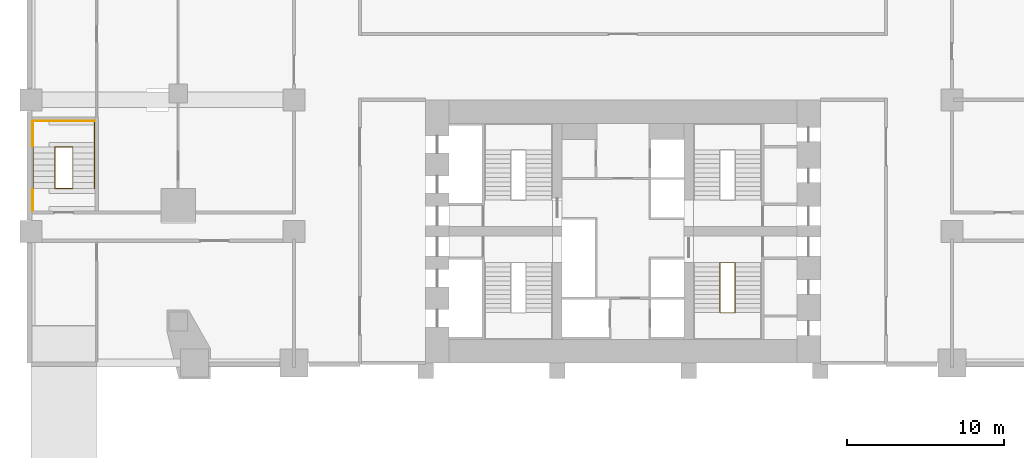
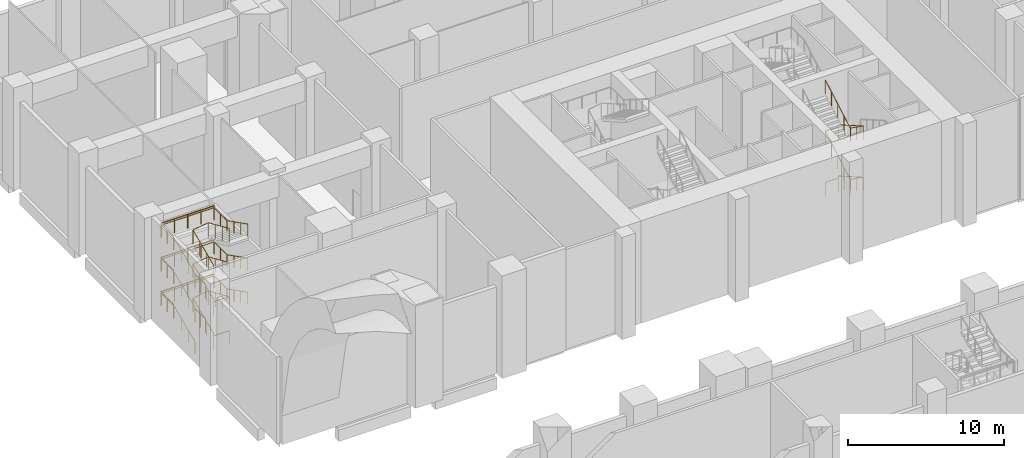
# One storey, part 15 of 19: 16 railings.
"""IFC4 building model written with IfcOpenShell, lengths in metres."""

import ifcopenshell
import ifcopenshell.guid

model = None  # the IFC model being written
_history = None  # IfcOwnerHistory: only IFC2X3 demands one
_inside = {}  # id of a spatial element -> (the spatial element, [elements in it])
_under = {}  # id of a project, library or spatial element -> (it, [spatial elements below it])
_declared = {}  # id of a project -> (the project, [libraries it declares])
_typed = {}  # id of a type object -> (the type object, [elements of that type])
_made_of = {}  # id of a material, layer set ... -> (it, [elements and type objects made of it])


def new_model(schema):
    """Start an empty IFC model of exactly this schema.

    Asked for "IFC4X3", IfcOpenShell would pick the latest addendum, in which some entities
    have other attributes; the version numbers below select the first issue.
    IFC2X3 requires an IfcOwnerHistory on every rooted entity: one is made here for all.
    """
    global model, _history
    if schema == "IFC4X3":
        model = ifcopenshell.file(schema_version=(4, 3, 0, 0))
    else:
        model = ifcopenshell.file(schema=schema)
    _inside.clear()
    _under.clear()
    _declared.clear()
    _typed.clear()
    _made_of.clear()
    _history = None
    if model.schema == "IFC2X3":
        org = make("IfcOrganization", Name="unknown")
        user = make(
            "IfcPersonAndOrganization",
            ThePerson=make("IfcPerson", FamilyName="unknown"),
            TheOrganization=org,
        )
        app = make(
            "IfcApplication",
            ApplicationDeveloper=org,
            Version="unknown",
            ApplicationFullName="unknown",
            ApplicationIdentifier="unknown",
        )
        _history = make(
            "IfcOwnerHistory",
            OwningUser=user,
            OwningApplication=app,
            ChangeAction="ADDED",
            CreationDate=0,
        )
    return model


def make(cls, **values):
    """One entity of the class cls with the attributes given. An attribute that is None is left unset."""
    return model.create_entity(
        cls, **{name: value for name, value in values.items() if value is not None}
    )


def rooted(cls, **values):
    """An entity with a GlobalId (a new one), such as an element, a storey or a relation."""
    return make(cls, GlobalId=ifcopenshell.guid.new(), OwnerHistory=_history, **values)


def si_unit(unit_type, name, prefix=None):
    """IfcSIUnit, for example si_unit("LENGTHUNIT", "METRE", prefix="MILLI")."""
    return make("IfcSIUnit", UnitType=unit_type, Prefix=prefix, Name=name)


def assignment(units):
    """IfcUnitAssignment: the units of a project."""
    return None if units is None else make("IfcUnitAssignment", Units=units)


def point(xyz):
    """IfcCartesianPoint."""
    return None if xyz is None else make("IfcCartesianPoint", Coordinates=xyz)


def direction(xyz):
    """IfcDirection."""
    return None if xyz is None else make("IfcDirection", DirectionRatios=xyz)


def frame(location, z_axis=None, x_axis=None):
    """IfcAxis2Placement3D, a coordinate frame: its origin and axes. An axis left out is left unset."""
    return make(
        "IfcAxis2Placement3D",
        Location=point(location),
        Axis=direction(z_axis),
        RefDirection=direction(x_axis),
    )


def frame_2d(location, x_axis=None):
    """IfcAxis2Placement2D, a coordinate frame in the plane: its origin and x axis."""
    return make(
        "IfcAxis2Placement2D", Location=point(location), RefDirection=direction(x_axis)
    )


def origin():
    """The frame at (0, 0, 0) with its axes left unset."""
    return frame((0.0, 0.0, 0.0))


def origin_2d():
    """The frame at (0, 0) in the plane with its x axis left unset."""
    return frame_2d((0.0, 0.0))


def place(relative_to, where):
    """IfcLocalPlacement: puts the frame where relative to a parent placement (None: the world)."""
    return make(
        "IfcLocalPlacement", PlacementRelTo=relative_to, RelativePlacement=where
    )


def context(
    kind, dimensions, precision=None, world=None, true_north=None, identifier=None
):
    """IfcGeometricRepresentationContext, for example the 3D "Model" context."""
    return make(
        "IfcGeometricRepresentationContext",
        ContextIdentifier=identifier,
        ContextType=kind,
        CoordinateSpaceDimension=dimensions,
        Precision=precision,
        WorldCoordinateSystem=world,
        TrueNorth=true_north,
    )


def subcontext(parent, identifier, kind, view, scale=None):
    """IfcGeometricRepresentationSubContext, for example "Body" below "Model"."""
    return make(
        "IfcGeometricRepresentationSubContext",
        ContextIdentifier=identifier,
        ContextType=kind,
        ParentContext=parent,
        TargetScale=scale,
        TargetView=view,
    )


def project(units=None, contexts=None):
    """IfcProject with its units and contexts."""
    return rooted(
        "IfcProject",
        Name="project",
        RepresentationContexts=contexts,
        UnitsInContext=assignment(units),
    )


def spatial(cls, under=None, at=None, **own):
    """A site, building, storey or space (cls), placed at a placement, below another one or the project."""
    s = rooted(cls, ObjectPlacement=at, **own)
    if under is not None:
        _under.setdefault(under.id(), (under, []))[1].append(s)
    return s


def profile(cls, at=None, kind="AREA", **sizes):
    """A parametric profile (cls). Its sizes go by their IFC names, for example OverallWidth=200.0."""
    return make(cls, ProfileType=kind, Position=at, **sizes)


def circle(**sizes):
    """IfcCircleProfileDef."""
    return profile("IfcCircleProfileDef", **sizes)


def extrude(swept, where, along, depth):
    """IfcExtrudedAreaSolid: the profile swept, set in the frame where, extruded along a direction by depth."""
    return make(
        "IfcExtrudedAreaSolid",
        SweptArea=swept,
        Position=where,
        ExtrudedDirection=direction(along),
        Depth=depth,
    )


def shape(context_of_items, identifier, shape_type, items):
    """IfcShapeRepresentation: the items that make up one representation, for example the "Body"."""
    return make(
        "IfcShapeRepresentation",
        ContextOfItems=context_of_items,
        RepresentationIdentifier=identifier,
        RepresentationType=shape_type,
        Items=items,
    )


def material(Name=None, Category=None):
    """IfcMaterial."""
    return make("IfcMaterial", Name=Name, Category=Category)


def made_of(thing, what):
    """Note that an element or type object is made of a material, layer set ...; save() writes the relation."""
    if what is not None:
        _made_of.setdefault(what.id(), (what, []))[1].append(thing)
    return thing


def type_object(cls, material=None, **own):
    """A type object (cls), such as IfcWallType, which elements share."""
    return made_of(rooted(cls, **own), material)


def element(
    cls,
    number,
    at=None,
    inside=None,
    cuts=None,
    type_object=None,
    material=None,
    context=None,
    identifier="Body",
    shape_type=None,
    held_by="IfcProductDefinitionShape",
    body=None,
    shapes=None,
    **own,
):
    """One element of the class cls, such as IfcWall. Its Tag is "e" and its number.

    at: its placement. inside: the storey or other place that contains it. cuts: it is an
    opening in that element (IfcRelVoidsElement). A single representation is given by context,
    identifier, shape_type and body (its items); several are given by shapes. held_by: the class
    of the entity that holds the representations. save() writes the other relations.
    """
    e = rooted(cls, Tag="e%d" % number, ObjectPlacement=at, **own)
    if body is not None:
        shapes = [shape(context, identifier, shape_type, body)]
    if shapes is not None:
        e.Representation = make(held_by, Representations=shapes)
    if inside is not None:
        _inside.setdefault(inside.id(), (inside, []))[1].append(e)
    if cuts is not None:
        rooted(
            "IfcRelVoidsElement", RelatingBuildingElement=cuts, RelatedOpeningElement=e
        )
    if type_object is not None:
        _typed.setdefault(type_object.id(), (type_object, []))[1].append(e)
    return made_of(e, material)


def aggregate(whole, parts):
    """IfcRelAggregates: a whole, such as a stair, and the parts it consists of."""
    return rooted("IfcRelAggregates", RelatingObject=whole, RelatedObjects=parts)


def save(model, path):
    """Write the relations noted so far, then the file.

    IfcRelAggregates (storeys below a building ...), IfcRelContainedInSpatialStructure (elements
    in a storey), IfcRelDefinesByType, IfcRelAssociatesMaterial and IfcRelDeclares: one each for
    every whole, place, type object, material and project.
    """
    for whole, parts in _under.values():
        aggregate(whole, parts)
    for where, things in _inside.values():
        rooted(
            "IfcRelContainedInSpatialStructure",
            RelatedElements=things,
            RelatingStructure=where,
        )
    for kind, things in _typed.values():
        rooted("IfcRelDefinesByType", RelatedObjects=things, RelatingType=kind)
    for what, things in _made_of.values():
        rooted("IfcRelAssociatesMaterial", RelatedObjects=things, RelatingMaterial=what)
    for by, libraries in _declared.values():
        rooted("IfcRelDeclares", RelatingContext=by, RelatedDefinitions=libraries)
    model.write(path)


model = new_model("IFC4")

# Units and contexts
model_context = context("Model", 3, precision=1e-05, world=origin(), true_north=direction((0.0, 1.0)))
body_context = subcontext(model_context, "Body", "Model", "MODEL_VIEW")
ifc_project = project(units=[si_unit("LENGTHUNIT", "METRE"), si_unit("AREAUNIT", "SQUARE_METRE"), si_unit("VOLUMEUNIT", "CUBIC_METRE"), si_unit("PLANEANGLEUNIT", "RADIAN"), si_unit("MASSUNIT", "GRAM", prefix="KILO")], contexts=[model_context])

# Site, building, storey
site_placement = place(None, origin())
site = spatial("IfcSite", under=ifc_project, at=site_placement, CompositionType="ELEMENT")
building_placement = place(site_placement, origin())
building = spatial("IfcBuilding", under=site, at=building_placement, Name="Marenta Gate Hotel Tower", CompositionType="ELEMENT")
storey_placement = place(building_placement, frame((0.0, 0.0, 13.0)))
storey = spatial("IfcBuildingStorey", under=building, at=storey_placement, Name="L02", CompositionType="ELEMENT", Elevation=13.0)

# Railings
ifc_material_1 = material(Name="Stainless steel", Category="steel")
railing_type_1 = type_object("IfcRailingType", Name="Core stair handrail 950", PredefinedType="HANDRAIL", material=ifc_material_1)
railing_1_placement = place(storey_placement, frame((-37.64990234375, 11.1298828125, 0.166748046875)))
element("IfcRailing", 1, at=railing_1_placement, inside=storey, type_object=railing_type_1, Name="HR-950 L02-KR-PX6-2", PredefinedType="HANDRAIL", context=body_context, shape_type="SweptSolid", body=[
    extrude(circle(Radius=0.02392578125, at=origin_2d()), frame((0.0, 0.0, 0.92578125), z_axis=(0.0, 0.915817496131, 0.401594713337), x_axis=(-1.0, 0.0, 0.0)), (0.0, 0.0, 1.0), 2.90478515625),
    extrude(circle(Radius=0.02392578125, at=origin_2d()), frame((0.0, 2.66015625, 2.09228515625), z_axis=(0.0, 1.0, 0.0), x_axis=(-1.0, 0.0, 0.0)), (0.0, 0.0, 1.0), 1.659912109375),
    extrude(circle(Radius=0.02392578125, at=origin_2d()), frame((0.0, 4.320068359375, 2.09228515625), z_axis=(1.0, 0.0, 0.0), x_axis=(0.0, 1.0, 0.0)), (0.0, 0.0, 1.0), 3.89990234375),
    extrude(circle(Radius=0.02392578125, at=origin_2d()), frame((3.89990234375, 4.320068359375, 2.09228515625), z_axis=(0.0, -1.0, 0.0), x_axis=(1.0, 0.0, 0.0)), (0.0, 0.0, 1.0), 1.659912109375),
    extrude(circle(Radius=0.02392578125, at=origin_2d()), frame((3.89990234375, 2.66015625, 2.09228515625), z_axis=(0.0, -0.893967264428, 0.448132268567), x_axis=(1.0, 0.0, 0.0)), (0.0, 0.0, 1.0), 2.9755859375),
    extrude(circle(Radius=0.02099609375, at=origin_2d()), origin(), (0.0, 0.0, 1.0), 0.90185546875),
    extrude(circle(Radius=0.02099609375, at=origin_2d()), frame((0.0, 0.88671875, 0.388916015625)), (0.0, 0.0, 1.0), 0.90185546875),
    extrude(circle(Radius=0.02099609375, at=origin_2d()), frame((0.0, 1.7734375, 0.777587890625)), (0.0, 0.0, 1.0), 0.90185546875),
    extrude(circle(Radius=0.02099609375, at=origin_2d()), frame((0.0, 2.66015625, 1.16650390625)), (0.0, 0.0, 1.0), 0.90185546875),
    extrude(circle(Radius=0.02099609375, at=origin_2d()), frame((0.0, 3.490234375, 1.16650390625)), (0.0, 0.0, 1.0), 0.90185546875),
    extrude(circle(Radius=0.02099609375, at=origin_2d()), frame((0.0, 4.320068359375, 1.16650390625)), (0.0, 0.0, 1.0), 0.90185546875),
    extrude(circle(Radius=0.02099609375, at=origin_2d()), frame((0.97509765625, 4.320068359375, 1.16650390625)), (0.0, 0.0, 1.0), 0.90185546875),
    extrude(circle(Radius=0.02099609375, at=origin_2d()), frame((1.949951171875, 4.320068359375, 1.16650390625)), (0.0, 0.0, 1.0), 0.90185546875),
    extrude(circle(Radius=0.02099609375, at=origin_2d()), frame((2.9248046875, 4.320068359375, 1.16650390625)), (0.0, 0.0, 1.0), 0.90185546875),
    extrude(circle(Radius=0.02099609375, at=origin_2d()), frame((3.89990234375, 4.320068359375, 1.16650390625)), (0.0, 0.0, 1.0), 0.90185546875),
    extrude(circle(Radius=0.02099609375, at=origin_2d()), frame((3.89990234375, 3.490234375, 1.16650390625)), (0.0, 0.0, 1.0), 0.90185546875),
    extrude(circle(Radius=0.02099609375, at=origin_2d()), frame((3.89990234375, 2.66015625, 1.16650390625)), (0.0, 0.0, 1.0), 0.90185546875),
    extrude(circle(Radius=0.02099609375, at=origin_2d()), frame((3.89990234375, 1.7734375, 1.611083984375)), (0.0, 0.0, 1.0), 0.90185546875),
    extrude(circle(Radius=0.02099609375, at=origin_2d()), frame((3.89990234375, 0.88671875, 2.055419921875)), (0.0, 0.0, 1.0), 0.90185546875),
    extrude(circle(Radius=0.02099609375, at=origin_2d()), frame((3.89990234375, 0.0, 2.5)), (0.0, 0.0, 1.0), 0.90185546875),
])
railing_2_placement = place(storey_placement, frame((-37.64990234375, 11.1298828125, 2.833251953125)))
element("IfcRailing", 2, at=railing_2_placement, inside=storey, type_object=railing_type_1, Name="HR-950 L02-KR-PX6-5", PredefinedType="HANDRAIL", context=body_context, shape_type="SweptSolid", body=[
    extrude(circle(Radius=0.02392578125, at=origin_2d()), frame((0.0, 0.0, 0.92578125), z_axis=(0.0, 0.915786581632, 0.401665204994), x_axis=(-1.0, 0.0, 0.0)), (0.0, 0.0, 1.0), 2.90478515625),
    extrude(circle(Radius=0.02392578125, at=origin_2d()), frame((0.0, 2.66015625, 2.0927734375), z_axis=(0.0, 1.0, 0.0), x_axis=(-1.0, 0.0, 0.0)), (0.0, 0.0, 1.0), 1.659912109375),
    extrude(circle(Radius=0.02392578125, at=origin_2d()), frame((0.0, 4.320068359375, 2.0927734375), z_axis=(1.0, 0.0, 0.0), x_axis=(0.0, 1.0, 0.0)), (0.0, 0.0, 1.0), 3.89990234375),
    extrude(circle(Radius=0.02392578125, at=origin_2d()), frame((3.89990234375, 4.320068359375, 2.0927734375), z_axis=(0.0, -1.0, 0.0), x_axis=(1.0, 0.0, 0.0)), (0.0, 0.0, 1.0), 1.659912109375),
    extrude(circle(Radius=0.02392578125, at=origin_2d()), frame((3.89990234375, 2.66015625, 2.0927734375), z_axis=(0.0, -0.894000131919, 0.448066696073), x_axis=(1.0, 0.0, 0.0)), (0.0, 0.0, 1.0), 2.9755859375),
    extrude(circle(Radius=0.02099609375, at=origin_2d()), origin(), (0.0, 0.0, 1.0), 0.90185546875),
    extrude(circle(Radius=0.02099609375, at=origin_2d()), frame((0.0, 0.88671875, 0.388916015625)), (0.0, 0.0, 1.0), 0.90185546875),
    extrude(circle(Radius=0.02099609375, at=origin_2d()), frame((0.0, 1.7734375, 0.77783203125)), (0.0, 0.0, 1.0), 0.90185546875),
    extrude(circle(Radius=0.02099609375, at=origin_2d()), frame((0.0, 2.66015625, 1.166748046875)), (0.0, 0.0, 1.0), 0.90185546875),
    extrude(circle(Radius=0.02099609375, at=origin_2d()), frame((0.0, 3.490234375, 1.166748046875)), (0.0, 0.0, 1.0), 0.90185546875),
    extrude(circle(Radius=0.02099609375, at=origin_2d()), frame((0.0, 4.320068359375, 1.166748046875)), (0.0, 0.0, 1.0), 0.90185546875),
    extrude(circle(Radius=0.02099609375, at=origin_2d()), frame((0.97509765625, 4.320068359375, 1.166748046875)), (0.0, 0.0, 1.0), 0.90185546875),
    extrude(circle(Radius=0.02099609375, at=origin_2d()), frame((1.949951171875, 4.320068359375, 1.166748046875)), (0.0, 0.0, 1.0), 0.90185546875),
    extrude(circle(Radius=0.02099609375, at=origin_2d()), frame((2.9248046875, 4.320068359375, 1.166748046875)), (0.0, 0.0, 1.0), 0.90185546875),
    extrude(circle(Radius=0.02099609375, at=origin_2d()), frame((3.89990234375, 4.320068359375, 1.166748046875)), (0.0, 0.0, 1.0), 0.90185546875),
    extrude(circle(Radius=0.02099609375, at=origin_2d()), frame((3.89990234375, 3.490234375, 1.166748046875)), (0.0, 0.0, 1.0), 0.90185546875),
    extrude(circle(Radius=0.02099609375, at=origin_2d()), frame((3.89990234375, 2.66015625, 1.166748046875)), (0.0, 0.0, 1.0), 0.90185546875),
    extrude(circle(Radius=0.02099609375, at=origin_2d()), frame((3.89990234375, 1.7734375, 1.611083984375)), (0.0, 0.0, 1.0), 0.90185546875),
    extrude(circle(Radius=0.02099609375, at=origin_2d()), frame((3.89990234375, 0.88671875, 2.0556640625)), (0.0, 0.0, 1.0), 0.90185546875),
    extrude(circle(Radius=0.02099609375, at=origin_2d()), frame((3.89990234375, 0.0, 2.5)), (0.0, 0.0, 1.0), 0.90185546875),
])
railing_3_placement = place(storey_placement, frame((-37.64990234375, 11.1298828125, 5.5)))
element("IfcRailing", 3, at=railing_3_placement, inside=storey, type_object=railing_type_1, Name="HR-950 L02-KR-PX6-8", PredefinedType="HANDRAIL", context=body_context, shape_type="SweptSolid", body=[
    extrude(circle(Radius=0.02392578125, at=origin_2d()), frame((0.0, 0.0, 0.92578125), z_axis=(0.0, 0.915786581632, 0.401665204994), x_axis=(-1.0, 0.0, 0.0)), (0.0, 0.0, 1.0), 2.90478515625),
    extrude(circle(Radius=0.02392578125, at=origin_2d()), frame((0.0, 2.66015625, 2.0927734375), z_axis=(0.0, 1.0, 0.0), x_axis=(-1.0, 0.0, 0.0)), (0.0, 0.0, 1.0), 1.659912109375),
    extrude(circle(Radius=0.02392578125, at=origin_2d()), frame((0.0, 4.320068359375, 2.0927734375), z_axis=(1.0, 0.0, 0.0), x_axis=(0.0, 1.0, 0.0)), (0.0, 0.0, 1.0), 3.89990234375),
    extrude(circle(Radius=0.02392578125, at=origin_2d()), frame((3.89990234375, 4.320068359375, 2.0927734375), z_axis=(0.0, -1.0, 0.0), x_axis=(1.0, 0.0, 0.0)), (0.0, 0.0, 1.0), 1.659912109375),
    extrude(circle(Radius=0.02392578125, at=origin_2d()), frame((3.89990234375, 2.66015625, 2.0927734375), z_axis=(0.0, -0.894000131919, 0.448066696073), x_axis=(1.0, 0.0, 0.0)), (0.0, 0.0, 1.0), 2.9755859375),
    extrude(circle(Radius=0.02099609375, at=origin_2d()), origin(), (0.0, 0.0, 1.0), 0.90185546875),
    extrude(circle(Radius=0.02099609375, at=origin_2d()), frame((0.0, 0.88671875, 0.388916015625)), (0.0, 0.0, 1.0), 0.90185546875),
    extrude(circle(Radius=0.02099609375, at=origin_2d()), frame((0.0, 1.7734375, 0.77783203125)), (0.0, 0.0, 1.0), 0.90185546875),
    extrude(circle(Radius=0.02099609375, at=origin_2d()), frame((0.0, 2.66015625, 1.166748046875)), (0.0, 0.0, 1.0), 0.90185546875),
    extrude(circle(Radius=0.02099609375, at=origin_2d()), frame((0.0, 3.490234375, 1.166748046875)), (0.0, 0.0, 1.0), 0.90185546875),
    extrude(circle(Radius=0.02099609375, at=origin_2d()), frame((0.0, 4.320068359375, 1.166748046875)), (0.0, 0.0, 1.0), 0.90185546875),
    extrude(circle(Radius=0.02099609375, at=origin_2d()), frame((0.97509765625, 4.320068359375, 1.166748046875)), (0.0, 0.0, 1.0), 0.90185546875),
    extrude(circle(Radius=0.02099609375, at=origin_2d()), frame((1.949951171875, 4.320068359375, 1.166748046875)), (0.0, 0.0, 1.0), 0.90185546875),
    extrude(circle(Radius=0.02099609375, at=origin_2d()), frame((2.9248046875, 4.320068359375, 1.166748046875)), (0.0, 0.0, 1.0), 0.90185546875),
    extrude(circle(Radius=0.02099609375, at=origin_2d()), frame((3.89990234375, 4.320068359375, 1.166748046875)), (0.0, 0.0, 1.0), 0.90185546875),
    extrude(circle(Radius=0.02099609375, at=origin_2d()), frame((3.89990234375, 3.490234375, 1.166748046875)), (0.0, 0.0, 1.0), 0.90185546875),
    extrude(circle(Radius=0.02099609375, at=origin_2d()), frame((3.89990234375, 2.66015625, 1.166748046875)), (0.0, 0.0, 1.0), 0.90185546875),
    extrude(circle(Radius=0.02099609375, at=origin_2d()), frame((3.89990234375, 1.7734375, 1.611083984375)), (0.0, 0.0, 1.0), 0.90185546875),
    extrude(circle(Radius=0.02099609375, at=origin_2d()), frame((3.89990234375, 0.88671875, 2.0556640625)), (0.0, 0.0, 1.0), 0.90185546875),
    extrude(circle(Radius=0.02099609375, at=origin_2d()), frame((3.89990234375, 0.0, 2.5)), (0.0, 0.0, 1.0), 0.90185546875),
])
ifc_material_2 = material(Name="Stainless steel", Category="steel")
railing_type_2 = type_object("IfcRailingType", Name="Core stair well guard 1100", PredefinedType="GUARDRAIL", material=ifc_material_2)
railing_4_placement = place(storey_placement, frame((6.199951171875, 6.39990234375, 0.0)))
element("IfcRailing", 4, at=railing_4_placement, inside=storey, type_object=railing_type_2, Name="GR-1100 L02-KR-ST3-2", PredefinedType="GUARDRAIL", context=body_context, shape_type="SweptSolid", body=[
    extrude(circle(Radius=0.02392578125, at=origin_2d()), frame((0.0, 0.0, 1.076171875), z_axis=(1.0, 0.0, 0.0), x_axis=(0.0, 1.0, 0.0)), (0.0, 0.0, 1.0), 0.949951171875),
    extrude(circle(Radius=0.02392578125, at=origin_2d()), frame((0.949951171875, 0.0, 1.076171875), z_axis=(0.0, 0.0, 1.0), x_axis=(1.0, 0.0, 0.0)), (0.0, 0.0, 1.0), 0.166748046875),
    extrude(circle(Radius=0.02392578125, at=origin_2d()), frame((0.949951171875, 0.0, 1.24267578125), z_axis=(0.0, -0.867019545617, 0.498274128887), x_axis=(1.0, 0.0, 0.0)), (0.0, 0.0, 1.0), 3.67919921875),
    extrude(circle(Radius=0.02392578125, at=origin_2d()), frame((0.949951171875, -3.18994140625, 3.076171875), z_axis=(-0.984941147704, 0.0, 0.172889952167), x_axis=(0.0, -1.0, 0.0)), (0.0, 0.0, 1.0), 0.96435546875),
    extrude(circle(Radius=0.02392578125, at=origin_2d()), frame((0.0, -3.18994140625, 3.24267578125), z_axis=(0.0, 0.867019545617, 0.498274128887), x_axis=(-1.0, 0.0, 0.0)), (0.0, 0.0, 1.0), 3.67919921875),
    extrude(circle(Radius=0.02099609375, at=origin_2d()), origin(), (0.0, 0.0, 1.0), 1.052001953125),
    extrude(circle(Radius=0.02099609375, at=origin_2d()), frame((0.949951171875, 0.0, 0.0)), (0.0, 0.0, 1.0), 1.052001953125),
    extrude(circle(Radius=0.02099609375, at=origin_2d()), frame((0.949951171875, 0.0, 0.166748046875)), (0.0, 0.0, 1.0), 1.052001953125),
    extrude(circle(Radius=0.02099609375, at=origin_2d()), frame((0.949951171875, -0.79736328125, 0.625)), (0.0, 0.0, 1.0), 1.052001953125),
    extrude(circle(Radius=0.02099609375, at=origin_2d()), frame((0.949951171875, -1.594970703125, 1.08349609375)), (0.0, 0.0, 1.0), 1.052001953125),
    extrude(circle(Radius=0.02099609375, at=origin_2d()), frame((0.949951171875, -2.392578125, 1.541748046875)), (0.0, 0.0, 1.0), 1.052001953125),
    extrude(circle(Radius=0.02099609375, at=origin_2d()), frame((0.949951171875, -3.18994140625, 2.0)), (0.0, 0.0, 1.0), 1.052001953125),
    extrude(circle(Radius=0.02099609375, at=origin_2d()), frame((0.0, -3.18994140625, 2.166748046875)), (0.0, 0.0, 1.0), 1.052001953125),
    extrude(circle(Radius=0.02099609375, at=origin_2d()), frame((0.0, -2.392578125, 2.625)), (0.0, 0.0, 1.0), 1.052001953125),
    extrude(circle(Radius=0.02099609375, at=origin_2d()), frame((0.0, -1.594970703125, 3.08349609375)), (0.0, 0.0, 1.0), 1.052001953125),
    extrude(circle(Radius=0.02099609375, at=origin_2d()), frame((0.0, -0.79736328125, 3.541748046875)), (0.0, 0.0, 1.0), 1.052001953125),
    extrude(circle(Radius=0.02099609375, at=origin_2d()), frame((0.0, 0.0, 4.0)), (0.0, 0.0, 1.0), 1.052001953125),
])
railing_5_placement = place(storey_placement, frame((6.199951171875, 6.39990234375, 4.0)))
element("IfcRailing", 5, at=railing_5_placement, inside=storey, type_object=railing_type_2, Name="GR-1100 L02-KR-ST3-4", PredefinedType="GUARDRAIL", context=body_context, shape_type="SweptSolid", body=[
    extrude(circle(Radius=0.02392578125, at=origin_2d()), frame((0.0, 0.0, 1.076171875), z_axis=(1.0, 0.0, 0.0), x_axis=(0.0, 1.0, 0.0)), (0.0, 0.0, 1.0), 0.949951171875),
    extrude(circle(Radius=0.02392578125, at=origin_2d()), frame((0.949951171875, 0.0, 1.076171875), z_axis=(0.0, 0.0, 1.0), x_axis=(1.0, 0.0, 0.0)), (0.0, 0.0, 1.0), 0.166748046875),
    extrude(circle(Radius=0.02392578125, at=origin_2d()), frame((0.949951171875, 0.0, 1.24267578125), z_axis=(0.0, -0.867019545617, 0.498274128887), x_axis=(1.0, 0.0, 0.0)), (0.0, 0.0, 1.0), 3.67919921875),
    extrude(circle(Radius=0.02392578125, at=origin_2d()), frame((0.949951171875, -3.18994140625, 3.076171875), z_axis=(-0.984941147704, 0.0, 0.172889952167), x_axis=(0.0, -1.0, 0.0)), (0.0, 0.0, 1.0), 0.96435546875),
    extrude(circle(Radius=0.02392578125, at=origin_2d()), frame((0.0, -3.18994140625, 3.24267578125), z_axis=(0.0, 0.867019545617, 0.498274128887), x_axis=(-1.0, 0.0, 0.0)), (0.0, 0.0, 1.0), 3.67919921875),
    extrude(circle(Radius=0.02099609375, at=origin_2d()), origin(), (0.0, 0.0, 1.0), 1.052001953125),
    extrude(circle(Radius=0.02099609375, at=origin_2d()), frame((0.949951171875, 0.0, 0.0)), (0.0, 0.0, 1.0), 1.052001953125),
    extrude(circle(Radius=0.02099609375, at=origin_2d()), frame((0.949951171875, 0.0, 0.166748046875)), (0.0, 0.0, 1.0), 1.052001953125),
    extrude(circle(Radius=0.02099609375, at=origin_2d()), frame((0.949951171875, -0.79736328125, 0.625)), (0.0, 0.0, 1.0), 1.052001953125),
    extrude(circle(Radius=0.02099609375, at=origin_2d()), frame((0.949951171875, -1.594970703125, 1.08349609375)), (0.0, 0.0, 1.0), 1.052001953125),
    extrude(circle(Radius=0.02099609375, at=origin_2d()), frame((0.949951171875, -2.392578125, 1.541748046875)), (0.0, 0.0, 1.0), 1.052001953125),
    extrude(circle(Radius=0.02099609375, at=origin_2d()), frame((0.949951171875, -3.18994140625, 2.0)), (0.0, 0.0, 1.0), 1.052001953125),
    extrude(circle(Radius=0.02099609375, at=origin_2d()), frame((0.0, -3.18994140625, 2.166748046875)), (0.0, 0.0, 1.0), 1.052001953125),
    extrude(circle(Radius=0.02099609375, at=origin_2d()), frame((0.0, -2.392578125, 2.625)), (0.0, 0.0, 1.0), 1.052001953125),
    extrude(circle(Radius=0.02099609375, at=origin_2d()), frame((0.0, -1.594970703125, 3.08349609375)), (0.0, 0.0, 1.0), 1.052001953125),
    extrude(circle(Radius=0.02099609375, at=origin_2d()), frame((0.0, -0.79736328125, 3.541748046875)), (0.0, 0.0, 1.0), 1.052001953125),
    extrude(circle(Radius=0.02099609375, at=origin_2d()), frame((0.0, 0.0, 4.0)), (0.0, 0.0, 1.0), 1.052001953125),
])
railing_6_placement = place(storey_placement, frame((-37.64990234375, 15.449951171875, 1.333251953125)))
element("IfcRailing", 6, at=railing_6_placement, inside=storey, type_object=railing_type_2, Name="GR-1100 L02-KR-PX6-1", PredefinedType="GUARDRAIL", context=body_context, shape_type="SweptSolid", body=[
    extrude(circle(Radius=0.02392578125, at=origin_2d()), frame((0.0, 0.0, 1.076171875), z_axis=(1.0, 0.0, 0.0), x_axis=(0.0, 1.0, 0.0)), (0.0, 0.0, 1.0), 3.89990234375),
    extrude(circle(Radius=0.02099609375, at=origin_2d()), origin(), (0.0, 0.0, 1.0), 1.052001953125),
    extrude(circle(Radius=0.02099609375, at=origin_2d()), frame((0.97509765625, 0.0, 0.0)), (0.0, 0.0, 1.0), 1.052001953125),
    extrude(circle(Radius=0.02099609375, at=origin_2d()), frame((1.949951171875, 0.0, 0.0)), (0.0, 0.0, 1.0), 1.052001953125),
    extrude(circle(Radius=0.02099609375, at=origin_2d()), frame((2.9248046875, 0.0, 0.0)), (0.0, 0.0, 1.0), 1.052001953125),
    extrude(circle(Radius=0.02099609375, at=origin_2d()), frame((3.89990234375, 0.0, 0.0)), (0.0, 0.0, 1.0), 1.052001953125),
])
railing_7_placement = place(storey_placement, frame((-35.1298828125, 11.1298828125, 0.0)))
element("IfcRailing", 7, at=railing_7_placement, inside=storey, type_object=railing_type_2, Name="GR-1100 L02-KR-PX6-3", PredefinedType="GUARDRAIL", context=body_context, shape_type="SweptSolid", body=[
    extrude(circle(Radius=0.02392578125, at=origin_2d()), frame((0.0, 0.0, 1.076171875), z_axis=(-1.0, 0.0, 0.0), x_axis=(0.0, -1.0, 0.0)), (0.0, 0.0, 1.0), 1.14013671875),
    extrude(circle(Radius=0.02392578125, at=origin_2d()), frame((-1.14013671875, 0.0, 1.076171875), z_axis=(0.0, 0.0, 1.0), x_axis=(1.0, 0.0, 0.0)), (0.0, 0.0, 1.0), 0.166748046875),
    extrude(circle(Radius=0.02392578125, at=origin_2d()), frame((-1.14013671875, 0.0, 1.24267578125), z_axis=(0.0, 0.915817496131, 0.401594713337), x_axis=(-1.0, 0.0, 0.0)), (0.0, 0.0, 1.0), 2.90478515625),
    extrude(circle(Radius=0.02392578125, at=origin_2d()), frame((-1.14013671875, 2.66015625, 2.4091796875), z_axis=(0.989473647251, 0.0, 0.144713169394), x_axis=(0.0, 1.0, 0.0)), (0.0, 0.0, 1.0), 1.15234375),
    extrude(circle(Radius=0.02392578125, at=origin_2d()), frame((0.0, 2.66015625, 2.576171875), z_axis=(0.0, -0.915786581632, 0.401665204994), x_axis=(1.0, 0.0, 0.0)), (0.0, 0.0, 1.0), 2.90478515625),
    extrude(circle(Radius=0.02099609375, at=origin_2d()), origin(), (0.0, 0.0, 1.0), 1.052001953125),
    extrude(circle(Radius=0.02099609375, at=origin_2d()), frame((-1.14013671875, 0.0, 0.0)), (0.0, 0.0, 1.0), 1.052001953125),
    extrude(circle(Radius=0.02099609375, at=origin_2d()), frame((-1.14013671875, 0.0, 0.166748046875)), (0.0, 0.0, 1.0), 1.052001953125),
    extrude(circle(Radius=0.02099609375, at=origin_2d()), frame((-1.14013671875, 0.88671875, 0.5556640625)), (0.0, 0.0, 1.0), 1.052001953125),
    extrude(circle(Radius=0.02099609375, at=origin_2d()), frame((-1.14013671875, 1.7734375, 0.9443359375)), (0.0, 0.0, 1.0), 1.052001953125),
    extrude(circle(Radius=0.02099609375, at=origin_2d()), frame((-1.14013671875, 2.66015625, 1.333251953125)), (0.0, 0.0, 1.0), 1.052001953125),
    extrude(circle(Radius=0.02099609375, at=origin_2d()), frame((0.0, 2.66015625, 1.5)), (0.0, 0.0, 1.0), 1.052001953125),
    extrude(circle(Radius=0.02099609375, at=origin_2d()), frame((0.0, 1.7734375, 1.888916015625)), (0.0, 0.0, 1.0), 1.052001953125),
    extrude(circle(Radius=0.02099609375, at=origin_2d()), frame((0.0, 0.88671875, 2.27783203125)), (0.0, 0.0, 1.0), 1.052001953125),
    extrude(circle(Radius=0.02099609375, at=origin_2d()), frame((0.0, 0.0, 2.666748046875)), (0.0, 0.0, 1.0), 1.052001953125),
])
railing_8_placement = place(storey_placement, frame((-37.64990234375, 15.449951171875, 4.0)))
element("IfcRailing", 8, at=railing_8_placement, inside=storey, type_object=railing_type_2, Name="GR-1100 L02-KR-PX6-4", PredefinedType="GUARDRAIL", context=body_context, shape_type="SweptSolid", body=[
    extrude(circle(Radius=0.02392578125, at=origin_2d()), frame((0.0, 0.0, 1.076171875), z_axis=(1.0, 0.0, 0.0), x_axis=(0.0, 1.0, 0.0)), (0.0, 0.0, 1.0), 3.89990234375),
    extrude(circle(Radius=0.02099609375, at=origin_2d()), origin(), (0.0, 0.0, 1.0), 1.052001953125),
    extrude(circle(Radius=0.02099609375, at=origin_2d()), frame((0.97509765625, 0.0, 0.0)), (0.0, 0.0, 1.0), 1.052001953125),
    extrude(circle(Radius=0.02099609375, at=origin_2d()), frame((1.949951171875, 0.0, 0.0)), (0.0, 0.0, 1.0), 1.052001953125),
    extrude(circle(Radius=0.02099609375, at=origin_2d()), frame((2.9248046875, 0.0, 0.0)), (0.0, 0.0, 1.0), 1.052001953125),
    extrude(circle(Radius=0.02099609375, at=origin_2d()), frame((3.89990234375, 0.0, 0.0)), (0.0, 0.0, 1.0), 1.052001953125),
])
railing_9_placement = place(storey_placement, frame((-35.1298828125, 11.1298828125, 2.666748046875)))
element("IfcRailing", 9, at=railing_9_placement, inside=storey, type_object=railing_type_2, Name="GR-1100 L02-KR-PX6-6", PredefinedType="GUARDRAIL", context=body_context, shape_type="SweptSolid", body=[
    extrude(circle(Radius=0.02392578125, at=origin_2d()), frame((0.0, 0.0, 1.076171875), z_axis=(-1.0, 0.0, 0.0), x_axis=(0.0, -1.0, 0.0)), (0.0, 0.0, 1.0), 1.14013671875),
    extrude(circle(Radius=0.02392578125, at=origin_2d()), frame((-1.14013671875, 0.0, 1.076171875), z_axis=(0.0, 0.0, 1.0), x_axis=(1.0, 0.0, 0.0)), (0.0, 0.0, 1.0), 0.16650390625),
    extrude(circle(Radius=0.02392578125, at=origin_2d()), frame((-1.14013671875, 0.0, 1.24267578125), z_axis=(0.0, 0.915786581632, 0.401665204994), x_axis=(-1.0, 0.0, 0.0)), (0.0, 0.0, 1.0), 2.90478515625),
    extrude(circle(Radius=0.02392578125, at=origin_2d()), frame((-1.14013671875, 2.66015625, 2.4091796875), z_axis=(0.989473647251, 0.0, 0.144713169394), x_axis=(0.0, 1.0, 0.0)), (0.0, 0.0, 1.0), 1.15234375),
    extrude(circle(Radius=0.02392578125, at=origin_2d()), frame((0.0, 2.66015625, 2.576171875), z_axis=(0.0, -0.915817496131, 0.401594713337), x_axis=(1.0, 0.0, 0.0)), (0.0, 0.0, 1.0), 2.90478515625),
    extrude(circle(Radius=0.02099609375, at=origin_2d()), origin(), (0.0, 0.0, 1.0), 1.052001953125),
    extrude(circle(Radius=0.02099609375, at=origin_2d()), frame((-1.14013671875, 0.0, 0.0)), (0.0, 0.0, 1.0), 1.052001953125),
    extrude(circle(Radius=0.02099609375, at=origin_2d()), frame((-1.14013671875, 0.0, 0.16650390625)), (0.0, 0.0, 1.0), 1.052001953125),
    extrude(circle(Radius=0.02099609375, at=origin_2d()), frame((-1.14013671875, 0.88671875, 0.555419921875)), (0.0, 0.0, 1.0), 1.052001953125),
    extrude(circle(Radius=0.02099609375, at=origin_2d()), frame((-1.14013671875, 1.7734375, 0.9443359375)), (0.0, 0.0, 1.0), 1.052001953125),
    extrude(circle(Radius=0.02099609375, at=origin_2d()), frame((-1.14013671875, 2.66015625, 1.333251953125)), (0.0, 0.0, 1.0), 1.052001953125),
    extrude(circle(Radius=0.02099609375, at=origin_2d()), frame((0.0, 2.66015625, 1.5)), (0.0, 0.0, 1.0), 1.052001953125),
    extrude(circle(Radius=0.02099609375, at=origin_2d()), frame((0.0, 1.7734375, 1.888916015625)), (0.0, 0.0, 1.0), 1.052001953125),
    extrude(circle(Radius=0.02099609375, at=origin_2d()), frame((0.0, 0.88671875, 2.277587890625)), (0.0, 0.0, 1.0), 1.052001953125),
    extrude(circle(Radius=0.02099609375, at=origin_2d()), frame((0.0, 0.0, 2.66650390625)), (0.0, 0.0, 1.0), 1.052001953125),
])
railing_10_placement = place(storey_placement, frame((-37.64990234375, 15.449951171875, 6.666748046875)))
element("IfcRailing", 10, at=railing_10_placement, inside=storey, type_object=railing_type_2, Name="GR-1100 L02-KR-PX6-7", PredefinedType="GUARDRAIL", context=body_context, shape_type="SweptSolid", body=[
    extrude(circle(Radius=0.02392578125, at=origin_2d()), frame((0.0, 0.0, 1.076171875), z_axis=(1.0, 0.0, 0.0), x_axis=(0.0, 1.0, 0.0)), (0.0, 0.0, 1.0), 3.89990234375),
    extrude(circle(Radius=0.02099609375, at=origin_2d()), origin(), (0.0, 0.0, 1.0), 1.052001953125),
    extrude(circle(Radius=0.02099609375, at=origin_2d()), frame((0.97509765625, 0.0, 0.0)), (0.0, 0.0, 1.0), 1.052001953125),
    extrude(circle(Radius=0.02099609375, at=origin_2d()), frame((1.949951171875, 0.0, 0.0)), (0.0, 0.0, 1.0), 1.052001953125),
    extrude(circle(Radius=0.02099609375, at=origin_2d()), frame((2.9248046875, 0.0, 0.0)), (0.0, 0.0, 1.0), 1.052001953125),
    extrude(circle(Radius=0.02099609375, at=origin_2d()), frame((3.89990234375, 0.0, 0.0)), (0.0, 0.0, 1.0), 1.052001953125),
])
railing_11_placement = place(storey_placement, frame((-35.1298828125, 11.1298828125, 5.333251953125)))
element("IfcRailing", 11, at=railing_11_placement, inside=storey, type_object=railing_type_2, Name="GR-1100 L02-KR-PX6-9", PredefinedType="GUARDRAIL", context=body_context, shape_type="SweptSolid", body=[
    extrude(circle(Radius=0.02392578125, at=origin_2d()), frame((0.0, 0.0, 1.076171875), z_axis=(-1.0, 0.0, 0.0), x_axis=(0.0, -1.0, 0.0)), (0.0, 0.0, 1.0), 1.14013671875),
    extrude(circle(Radius=0.02392578125, at=origin_2d()), frame((-1.14013671875, 0.0, 1.076171875), z_axis=(0.0, 0.0, 1.0), x_axis=(1.0, 0.0, 0.0)), (0.0, 0.0, 1.0), 0.166748046875),
    extrude(circle(Radius=0.02392578125, at=origin_2d()), frame((-1.14013671875, 0.0, 1.24267578125), z_axis=(0.0, 0.915786581632, 0.401665204994), x_axis=(-1.0, 0.0, 0.0)), (0.0, 0.0, 1.0), 2.90478515625),
    extrude(circle(Radius=0.02392578125, at=origin_2d()), frame((-1.14013671875, 2.66015625, 2.40966796875), z_axis=(0.989503965321, 0.0, 0.144505718276), x_axis=(0.0, 1.0, 0.0)), (0.0, 0.0, 1.0), 1.15234375),
    extrude(circle(Radius=0.02392578125, at=origin_2d()), frame((0.0, 2.66015625, 2.576171875), z_axis=(0.0, -0.915786581632, 0.401665204994), x_axis=(1.0, 0.0, 0.0)), (0.0, 0.0, 1.0), 2.90478515625),
    extrude(circle(Radius=0.02099609375, at=origin_2d()), origin(), (0.0, 0.0, 1.0), 1.052001953125),
    extrude(circle(Radius=0.02099609375, at=origin_2d()), frame((-1.14013671875, 0.0, 0.0)), (0.0, 0.0, 1.0), 1.052001953125),
    extrude(circle(Radius=0.02099609375, at=origin_2d()), frame((-1.14013671875, 0.0, 0.166748046875)), (0.0, 0.0, 1.0), 1.052001953125),
    extrude(circle(Radius=0.02099609375, at=origin_2d()), frame((-1.14013671875, 0.88671875, 0.5556640625)), (0.0, 0.0, 1.0), 1.052001953125),
    extrude(circle(Radius=0.02099609375, at=origin_2d()), frame((-1.14013671875, 1.7734375, 0.944580078125)), (0.0, 0.0, 1.0), 1.052001953125),
    extrude(circle(Radius=0.02099609375, at=origin_2d()), frame((-1.14013671875, 2.66015625, 1.33349609375)), (0.0, 0.0, 1.0), 1.052001953125),
    extrude(circle(Radius=0.02099609375, at=origin_2d()), frame((0.0, 2.66015625, 1.5)), (0.0, 0.0, 1.0), 1.052001953125),
    extrude(circle(Radius=0.02099609375, at=origin_2d()), frame((0.0, 1.7734375, 1.888916015625)), (0.0, 0.0, 1.0), 1.052001953125),
    extrude(circle(Radius=0.02099609375, at=origin_2d()), frame((0.0, 0.88671875, 2.27783203125)), (0.0, 0.0, 1.0), 1.052001953125),
    extrude(circle(Radius=0.02099609375, at=origin_2d()), frame((0.0, 0.0, 2.666748046875)), (0.0, 0.0, 1.0), 1.052001953125),
])
railing_12_placement = place(storey_placement, frame((-37.679931640625, 13.840087890625, 1.333251953125)))
element("IfcRailing", 12, at=railing_12_placement, inside=storey, type_object=railing_type_2, Name="GR-1100 L02-KR-PX6-10", PredefinedType="GUARDRAIL", context=body_context, shape_type="SweptSolid", body=[
    extrude(circle(Radius=0.02392578125, at=origin_2d()), frame((0.0, 0.0, 1.076171875), z_axis=(0.0, 1.0, 0.0), x_axis=(-1.0, 0.0, 0.0)), (0.0, 0.0, 1.0), 1.60986328125),
    extrude(circle(Radius=0.02099609375, at=origin_2d()), origin(), (0.0, 0.0, 1.0), 1.052001953125),
    extrude(circle(Radius=0.02099609375, at=origin_2d()), frame((0.0, 0.804931640625, 0.0)), (0.0, 0.0, 1.0), 1.052001953125),
    extrude(circle(Radius=0.02099609375, at=origin_2d()), frame((0.0, 1.60986328125, 0.0)), (0.0, 0.0, 1.0), 1.052001953125),
])
railing_13_placement = place(storey_placement, frame((-37.679931640625, 9.75, 2.666748046875)))
element("IfcRailing", 13, at=railing_13_placement, inside=storey, type_object=railing_type_2, Name="GR-1100 L02-KR-PX6-11", PredefinedType="GUARDRAIL", context=body_context, shape_type="SweptSolid", body=[
    extrude(circle(Radius=0.02392578125, at=origin_2d()), frame((0.0, 0.0, 1.076171875), z_axis=(0.0, 1.0, 0.0), x_axis=(-1.0, 0.0, 0.0)), (0.0, 0.0, 1.0), 1.330078125),
    extrude(circle(Radius=0.02099609375, at=origin_2d()), origin(), (0.0, 0.0, 1.0), 1.052001953125),
    extrude(circle(Radius=0.02099609375, at=origin_2d()), frame((0.0, 0.6650390625, 0.0)), (0.0, 0.0, 1.0), 1.052001953125),
    extrude(circle(Radius=0.02099609375, at=origin_2d()), frame((0.0, 1.330078125, 0.0)), (0.0, 0.0, 1.0), 1.052001953125),
])
railing_14_placement = place(storey_placement, frame((-37.679931640625, 13.840087890625, 4.0)))
element("IfcRailing", 14, at=railing_14_placement, inside=storey, type_object=railing_type_2, Name="GR-1100 L02-KR-PX6-12", PredefinedType="GUARDRAIL", context=body_context, shape_type="SweptSolid", body=[
    extrude(circle(Radius=0.02392578125, at=origin_2d()), frame((0.0, 0.0, 1.076171875), z_axis=(0.0, 1.0, 0.0), x_axis=(-1.0, 0.0, 0.0)), (0.0, 0.0, 1.0), 1.60986328125),
    extrude(circle(Radius=0.02099609375, at=origin_2d()), origin(), (0.0, 0.0, 1.0), 1.052001953125),
    extrude(circle(Radius=0.02099609375, at=origin_2d()), frame((0.0, 0.804931640625, 0.0)), (0.0, 0.0, 1.0), 1.052001953125),
    extrude(circle(Radius=0.02099609375, at=origin_2d()), frame((0.0, 1.60986328125, 0.0)), (0.0, 0.0, 1.0), 1.052001953125),
])
railing_15_placement = place(storey_placement, frame((-37.679931640625, 9.75, 5.333251953125)))
element("IfcRailing", 15, at=railing_15_placement, inside=storey, type_object=railing_type_2, Name="GR-1100 L02-KR-PX6-13", PredefinedType="GUARDRAIL", context=body_context, shape_type="SweptSolid", body=[
    extrude(circle(Radius=0.02392578125, at=origin_2d()), frame((0.0, 0.0, 1.076171875), z_axis=(0.0, 1.0, 0.0), x_axis=(-1.0, 0.0, 0.0)), (0.0, 0.0, 1.0), 1.330078125),
    extrude(circle(Radius=0.02099609375, at=origin_2d()), origin(), (0.0, 0.0, 1.0), 1.052001953125),
    extrude(circle(Radius=0.02099609375, at=origin_2d()), frame((0.0, 0.6650390625, 0.0)), (0.0, 0.0, 1.0), 1.052001953125),
    extrude(circle(Radius=0.02099609375, at=origin_2d()), frame((0.0, 1.330078125, 0.0)), (0.0, 0.0, 1.0), 1.052001953125),
])
railing_16_placement = place(storey_placement, frame((-37.679931640625, 13.840087890625, 6.666748046875)))
element("IfcRailing", 16, at=railing_16_placement, inside=storey, type_object=railing_type_2, Name="GR-1100 L02-KR-PX6-14", PredefinedType="GUARDRAIL", context=body_context, shape_type="SweptSolid", body=[
    extrude(circle(Radius=0.02392578125, at=origin_2d()), frame((0.0, 0.0, 1.076171875), z_axis=(0.0, 1.0, 0.0), x_axis=(-1.0, 0.0, 0.0)), (0.0, 0.0, 1.0), 1.60986328125),
    extrude(circle(Radius=0.02099609375, at=origin_2d()), origin(), (0.0, 0.0, 1.0), 1.052001953125),
    extrude(circle(Radius=0.02099609375, at=origin_2d()), frame((0.0, 0.804931640625, 0.0)), (0.0, 0.0, 1.0), 1.052001953125),
    extrude(circle(Radius=0.02099609375, at=origin_2d()), frame((0.0, 1.60986328125, 0.0)), (0.0, 0.0, 1.0), 1.052001953125),
])

save(model, "model.ifc")
